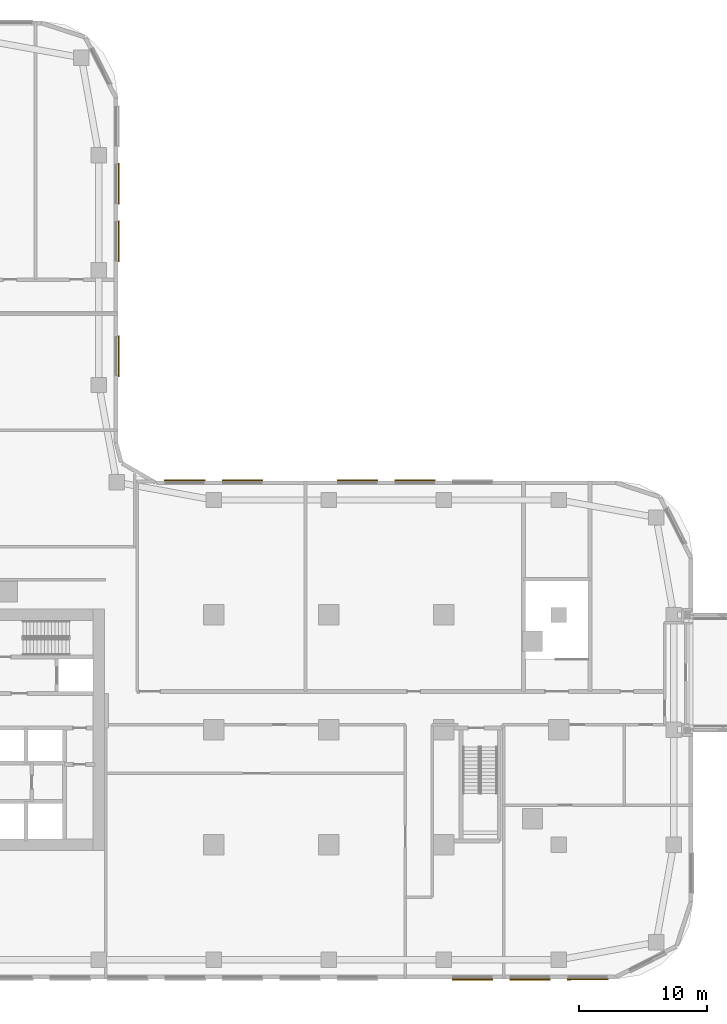
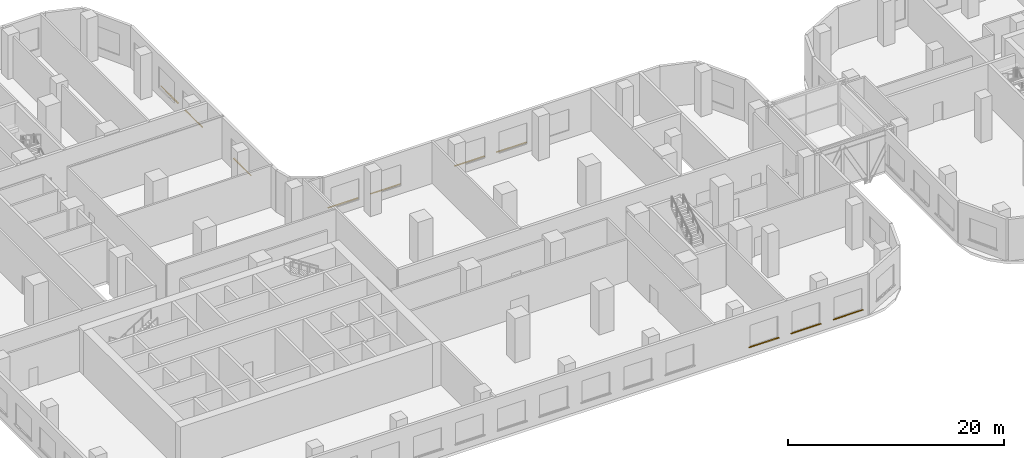
# One storey, part 27 of 33: 10 coverings.
"""IFC4 building model written with IfcOpenShell, lengths in metres."""

from ifc_helpers import new_model, si_unit, direction, frame, origin, origin_2d, place, context, subcontext, project, spatial, rectangle, extrude, material, layer, layer_set, type_object, element, save


model = new_model("IFC4")

# Units and contexts
model_context = context("Model", 3, precision=1e-05, world=origin(), true_north=direction((0.0, 1.0)))
body_context = subcontext(model_context, "Body", "Model", "MODEL_VIEW")
ifc_project = project(units=[si_unit("LENGTHUNIT", "METRE"), si_unit("AREAUNIT", "SQUARE_METRE"), si_unit("VOLUMEUNIT", "CUBIC_METRE"), si_unit("PLANEANGLEUNIT", "RADIAN"), si_unit("MASSUNIT", "GRAM", prefix="KILO")], contexts=[model_context])

# Site, building, storey
site_placement = place(None, origin())
site = spatial("IfcSite", under=ifc_project, at=site_placement, CompositionType="ELEMENT")
building_placement = place(site_placement, origin())
building = spatial("IfcBuilding", under=site, at=building_placement, Name="Ogive Portal Towers", CompositionType="ELEMENT")
storey_placement = place(building_placement, frame((0.0, 0.0, 28.5)))
storey = spatial("IfcBuildingStorey", under=building, at=storey_placement, Name="L05", CompositionType="ELEMENT", Elevation=28.5)

# Coverings
ifc_material = material(Name="Limestone cladding on lightweight block wall", Category="masonry")
ifc_layer = layer(ifc_material, 0.080078125)
ifc_layer_set = layer_set([ifc_layer], Name="STONE SILL 80")
covering_type = type_object("IfcCoveringType", Name="STONE SILL 80", PredefinedType="CLADDING", material=ifc_layer_set)
for number, where, z_axis, x_axis, name in (
    (1, (87.75, 10.9599609375, 0.840087890625), (0.0, 0.0, 1.0), (1.0, 0.0, 0.0), "Stone sill"),
    (2, (92.25, 10.9599609375, 0.840087890625), (0.0, 0.0, 1.0), (1.0, 0.0, 0.0), "Stone sill"),
    (3, (96.773681640625, 10.9599609375, 0.840087890625), (0.0, 0.0, 1.0), (1.0, 0.0, 0.0), "Stone sill"),
    (4, (83.25, 50.0400390625, 0.840087890625), (0.0, 0.0, 1.0), (-1.0, 0.0, 0.0), "Stone sill"),
    (5, (78.75, 50.0400390625, 0.840087890625), (0.0, 0.0, 1.0), (-1.0, 0.0, 0.0), "Stone sill"),
    (6, (69.75, 50.0400390625, 0.840087890625), (0.0, 0.0, 1.0), (-1.0, 0.0, 0.0), "Stone sill"),
    (7, (65.226318359375, 50.0400390625, 0.840087890625), (0.0, 0.0, 1.0), (-1.0, 0.0, 0.0), "Stone sill"),
    (8, (60.0400390625, 59.75, 0.840087890625), (0.0, 0.0, 1.0), (0.0, 1.0, 0.0), "Stone sill"),
    (9, (60.0400390625, 68.75, 0.840087890625), (0.0, 0.0, 1.0), (0.0, 1.0, 0.0), "Stone sill"),
    (10, (60.0400390625, 73.25, 0.840087890625), (0.0, 0.0, 1.0), (0.0, 1.0, 0.0), "Stone sill"),
):
    element("IfcCovering", number, at=place(storey_placement, frame(where, z_axis=z_axis, x_axis=x_axis)), inside=storey, type_object=covering_type, Name=name, PredefinedType="CLADDING", context=body_context, shape_type="SweptSolid", body=[
        extrude(rectangle(XDim=3.199951171875, YDim=0.080078125, at=origin_2d()), origin(), (0.0, 0.0, 1.0), 0.06005859375),
    ])

save(model, "model.ifc")
